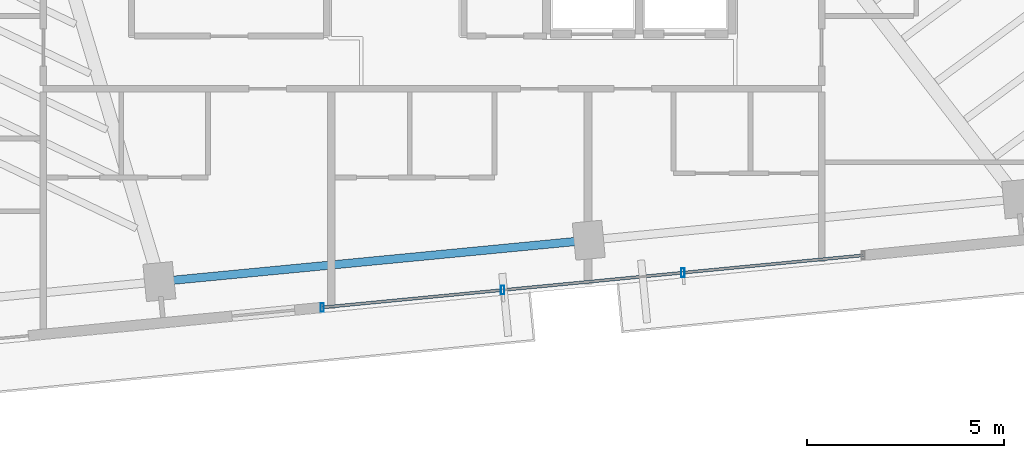
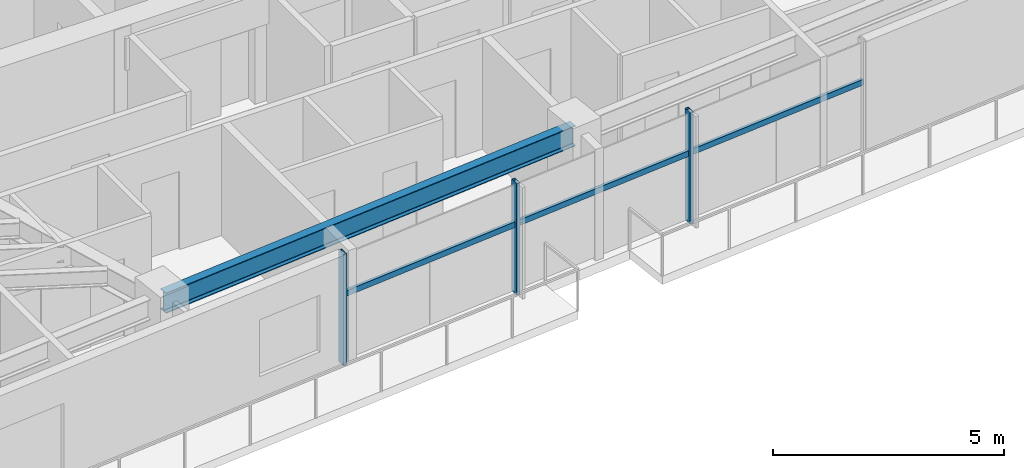
# One storey, part 4 of 18: 6 members, 1 beam, 1 element without a shape of its own.
"""IFC4 building model written with IfcOpenShell, lengths in metres."""

from ifc_helpers import new_model, si_unit, direction, frame, origin, origin_2d, place, context, subcontext, project, spatial, hollow_rectangle, i_section, extrude, source, transform, mapped, material, material_profile, profile_set, type_object, type_shapes, element, aggregate, save


model = new_model("IFC4")

# Units and contexts
model_context = context("Model", 3, precision=1e-05, world=origin(), true_north=direction((0.0, 1.0)))
body_context = subcontext(model_context, "Body", "Model", "MODEL_VIEW")
ifc_project = project(units=[si_unit("LENGTHUNIT", "METRE"), si_unit("AREAUNIT", "SQUARE_METRE"), si_unit("VOLUMEUNIT", "CUBIC_METRE"), si_unit("PLANEANGLEUNIT", "RADIAN"), si_unit("MASSUNIT", "GRAM", prefix="KILO")], contexts=[model_context])

# Site, building, storey
site_placement = place(None, origin())
site = spatial("IfcSite", under=ifc_project, at=site_placement, CompositionType="ELEMENT")
building_placement = place(site_placement, origin())
building = spatial("IfcBuilding", under=site, at=building_placement, Name="Astriad Promenade Condominiums", CompositionType="ELEMENT")
storey_placement = place(building_placement, frame((0.0, 0.0, 198.60009765625)))
storey = spatial("IfcBuildingStorey", under=building, at=storey_placement, Name="L57", CompositionType="ELEMENT", Elevation=198.60009765625)

# Beam
ifc_material_1 = material(Name="Steel ASTM A992 Grade 50", Category="steel")
ifc_material_profile_1 = material_profile(ifc_material_1, i_section(OverallWidth=0.210693359375, OverallDepth=0.53955078125, WebThickness=0.01171875, FlangeThickness=0.018798828125, FilletRadius=0.0166015625, at=origin_2d()), Name="W21X73")
ifc_profile_set_1 = profile_set([ifc_material_profile_1], Name="Steel ASTM A992 Grade 50")
beam_type = type_object("IfcBeamType", Name="STEEL SPANDREL BEAM W21X73", PredefinedType="SPANDREL", material=ifc_profile_set_1)
shared_shape_1 = source(origin(), body_context, "Body", "SweptSolid", [
    extrude(i_section(OverallWidth=0.210693359375, OverallDepth=0.53955078125, WebThickness=0.01171875, FlangeThickness=0.018798828125, FilletRadius=0.0166015625, at=origin_2d()), origin(), (0.0, 0.0, 1.0), 10.8701171875),
])
type_shapes(beam_type, [shared_shape_1])
beam_placement = place(storey_placement, frame((29.10888671875, 8.47119140625, 2.670166015625), z_axis=(0.995394986184, 0.09585834069, 0.0), x_axis=(-0.09585834069, 0.995394986184, 0.0)))
element("IfcBeam", 1, at=beam_placement, inside=storey, type_object=beam_type, Name="Perimeter Spandrel Beam SP-S2-L57", PredefinedType="SPANDREL", context=body_context, shape_type="MappedRepresentation", body=[
    mapped(shared_shape_1, transform((0.0, 0.0, 0.0), scale=1.0)),
])

# Curtain wall, members
ifc_material_2 = material(Name="Anodised aluminium Black Dark Glass Unitised", Category="aluminium")
curtain_wall_type = type_object("IfcCurtainWallType", Name="CW-B34-DARK", PredefinedType="USERDEFINED", material=ifc_material_2)
curtain_wall_placement = place(storey_placement, origin())
curtain_wall = element("IfcCurtainWall", 2, at=curtain_wall_placement, inside=storey, type_object=curtain_wall_type, Name="CW-L57-S", ObjectType="UNITISED_CURTAIN_WALL", PredefinedType="USERDEFINED")
ifc_material_3 = material(Name="Anodised aluminium 6063-T6 Black", Category="aluminium")
ifc_material_profile_2 = material_profile(ifc_material_3, hollow_rectangle(XDim=0.0849609375, YDim=0.219970703125, WallThickness=0.0048828125, at=origin_2d()), Name="ALU-MUL-85X220")
ifc_profile_set_2 = profile_set([ifc_material_profile_2], Name="Anodised aluminium 6063-T6 Black")
member_type_1 = type_object("IfcMemberType", Name="MUL-ALU-MUL-85X220", PredefinedType="MULLION", material=ifc_profile_set_2)
shared_shape_2 = source(origin(), body_context, "Body", "SweptSolid", [
    extrude(hollow_rectangle(XDim=0.0849609375, YDim=0.219970703125, WallThickness=0.0048828125, at=origin_2d()), origin(), (0.0, 0.0, 1.0), 2.93994140625),
])
type_shapes(member_type_1, [shared_shape_2])
member_1_placement = place(storey_placement, frame((42.358642578125, 8.692138671875, 0.0), z_axis=(0.0, 0.0, 1.0), x_axis=(1.0, 0.0, 0.0)))
member_1 = element("IfcMember", 3, at=member_1_placement, type_object=member_type_1, Name="CW-L57-S-MUL-01", PredefinedType="MULLION", context=body_context, shape_type="MappedRepresentation", body=[
    mapped(shared_shape_2, transform((0.0, 0.0, 0.0), scale=1.0)),
])
member_2_placement = place(storey_placement, frame((37.77978515625, 8.251220703125, 0.0), z_axis=(0.0, 0.0, 1.0), x_axis=(1.0, 0.0, 0.0)))
member_2 = element("IfcMember", 4, at=member_2_placement, type_object=member_type_1, Name="CW-L57-S-MUL-02", PredefinedType="MULLION", context=body_context, shape_type="MappedRepresentation", body=[
    mapped(shared_shape_2, transform((0.0, 0.0, 0.0), scale=1.0)),
])
member_3_placement = place(storey_placement, frame((33.201171875, 7.810302734375, 0.0), z_axis=(0.0, 0.0, 1.0), x_axis=(1.0, 0.0, 0.0)))
member_3 = element("IfcMember", 5, at=member_3_placement, type_object=member_type_1, Name="CW-L57-S-MUL-03", PredefinedType="MULLION", context=body_context, shape_type="MappedRepresentation", body=[
    mapped(shared_shape_2, transform((0.0, 0.0, 0.0), scale=1.0)),
])
ifc_material_profile_3 = material_profile(ifc_material_3, hollow_rectangle(XDim=0.074951171875, YDim=0.14990234375, WallThickness=0.004150390625, at=origin_2d()), Name="ALU-TRN-75X150")
ifc_profile_set_3 = profile_set([ifc_material_profile_3], Name="Anodised aluminium 6063-T6 Black")
member_type_2 = type_object("IfcMemberType", Name="TRN-ALU-TRN-75X150", PredefinedType="USERDEFINED", material=ifc_profile_set_3)
shared_shape_3 = source(origin(), body_context, "Body", "SweptSolid", [
    extrude(hollow_rectangle(XDim=0.074951171875, YDim=0.14990234375, WallThickness=0.004150390625, at=origin_2d()), origin(), (0.0, 0.0, 1.0), 4.60009765625),
])
member_4_placement = place(storey_placement, frame((46.9375, 9.133056640625, 1.82275390625), z_axis=(-0.995395697572, -0.095850953336, 0.0), x_axis=(0.095850953336, -0.995395697572, 0.0)))
member_4 = element("IfcMember", 6, at=member_4_placement, type_object=member_type_2, Name="CW-L57-S-TRN-00-0", ObjectType="TRANSOM", PredefinedType="USERDEFINED", context=body_context, shape_type="MappedRepresentation", body=[
    mapped(shared_shape_3, transform((0.0, 0.0, 0.0), scale=1.0)),
])
member_5_placement = place(storey_placement, frame((42.358642578125, 8.692138671875, 1.82275390625), z_axis=(-0.995395697572, -0.095850953336, 0.0), x_axis=(0.095850953336, -0.995395697572, 0.0)))
member_5 = element("IfcMember", 7, at=member_5_placement, type_object=member_type_2, Name="CW-L57-S-TRN-01-0", ObjectType="TRANSOM", PredefinedType="USERDEFINED", context=body_context, shape_type="MappedRepresentation", body=[
    mapped(shared_shape_3, transform((0.0, 0.0, 0.0), scale=1.0)),
])
shared_shape_4 = source(origin(), body_context, "Body", "SweptSolid", [
    extrude(hollow_rectangle(XDim=0.074951171875, YDim=0.14990234375, WallThickness=0.004150390625, at=origin_2d()), origin(), (0.0, 0.0, 1.0), 4.599853515625),
])
type_shapes(member_type_2, [shared_shape_3, shared_shape_4])
member_6_placement = place(storey_placement, frame((37.77978515625, 8.251220703125, 1.82275390625), z_axis=(-0.995395209924, -0.095856017336, 0.0), x_axis=(0.095856017336, -0.995395209924, 0.0)))
member_6 = element("IfcMember", 8, at=member_6_placement, type_object=member_type_2, Name="CW-L57-S-TRN-02-0", ObjectType="TRANSOM", PredefinedType="USERDEFINED", context=body_context, shape_type="MappedRepresentation", body=[
    mapped(shared_shape_4, transform((0.0, 0.0, 0.0), scale=1.0)),
])
aggregate(curtain_wall, [member_1, member_2, member_3, member_4, member_5, member_6])

save(model, "model.ifc")
